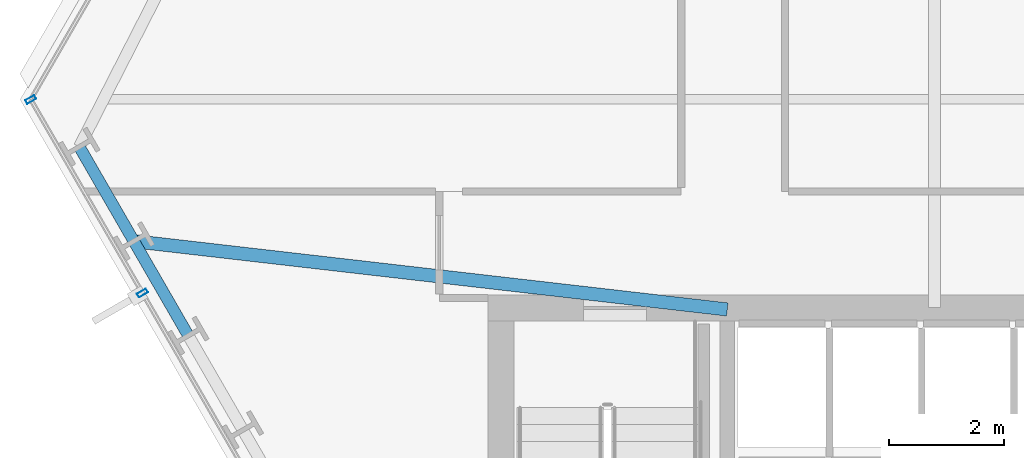
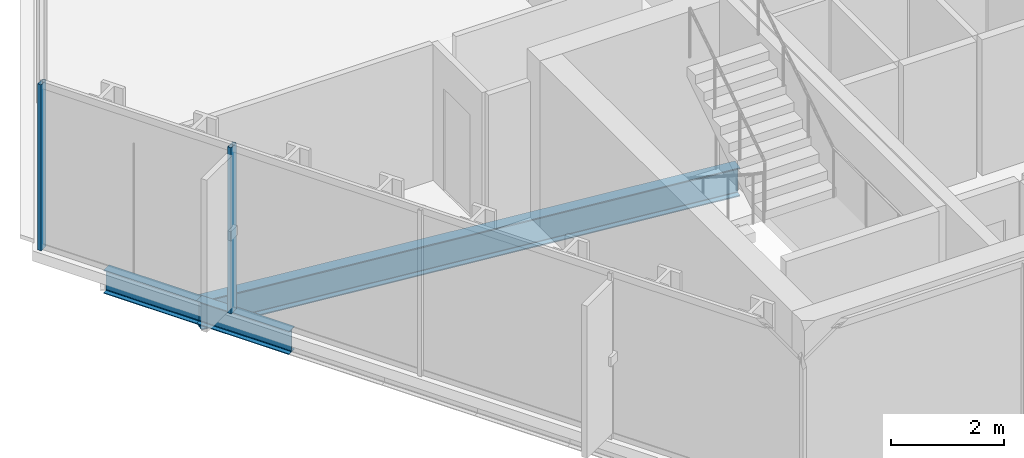
# One storey, part 5 of 32: 3 beams, 2 members, 1 element without a shape of its own.
"""IFC4 building model written with IfcOpenShell, lengths in metres."""

from ifc_helpers import new_model, si_unit, direction, frame, origin, origin_2d, place, context, subcontext, project, spatial, hollow_rectangle, i_section, extrude, material, layer, layer_set, material_profile, profile_set, type_object, element, aggregate, save


model = new_model("IFC4")

# Units and contexts
model_context = context("Model", 3, precision=1e-05, world=origin(), true_north=direction((0.0, 1.0)))
body_context = subcontext(model_context, "Body", "Model", "MODEL_VIEW")
ifc_project = project(units=[si_unit("LENGTHUNIT", "METRE"), si_unit("AREAUNIT", "SQUARE_METRE"), si_unit("VOLUMEUNIT", "CUBIC_METRE"), si_unit("PLANEANGLEUNIT", "RADIAN"), si_unit("MASSUNIT", "GRAM", prefix="KILO")], contexts=[model_context])

# Site, building, storey
site_placement = place(None, origin())
site = spatial("IfcSite", under=ifc_project, at=site_placement, CompositionType="ELEMENT")
building_placement = place(site_placement, origin())
building = spatial("IfcBuilding", under=site, at=building_placement, Name="Ndaravel Arena Tower", CompositionType="ELEMENT")
storey_placement = place(building_placement, frame((0.0, 0.0, 58.800048828125)))
storey = spatial("IfcBuildingStorey", under=building, at=storey_placement, Name="L12", CompositionType="ELEMENT", Elevation=58.800048828125)

# Beams
ifc_material_1 = material(Name="Steel S355", Category="steel")
ifc_material_profile_1 = material_profile(ifc_material_1, i_section(OverallWidth=0.230224609375, OverallDepth=0.6171875, WebThickness=0.01318359375, FlangeThickness=0.022216796875, FilletRadius=0.0126953125, at=origin_2d()), Name="UB 610x229x140")
ifc_profile_set_1 = profile_set([ifc_material_profile_1], Name="Steel S355")
beam_type_1 = type_object("IfcBeamType", Name="BM-GIRD-UB610B", PredefinedType="BEAM", material=ifc_profile_set_1)
beam_1_placement = place(storey_placement, frame((20.298095703125, 16.135009765625, -0.528564453125), z_axis=(0.993448778677, -0.114278275036, 0.0), x_axis=(0.114278275036, 0.993448778677, 0.0)))
element("IfcBeam", 1, at=beam_1_placement, inside=storey, type_object=beam_type_1, Name="L12 Radial Floor Girder FG-21", PredefinedType="BEAM", context=body_context, shape_type="SweptSolid", body=[
    extrude(i_section(OverallWidth=0.230224609375, OverallDepth=0.6171875, WebThickness=0.01318359375, FlangeThickness=0.022216796875, FilletRadius=0.0126953125, at=origin_2d()), origin(), (0.0, 0.0, 1.0), 10.369873046875),
])
ifc_material_2 = material(Name="Steel S355", Category="steel")
ifc_material_profile_2 = material_profile(ifc_material_2, i_section(OverallWidth=0.199951171875, OverallDepth=0.5, WebThickness=0.01025390625, FlangeThickness=0.01611328125, FilletRadius=0.02099609375, at=origin_2d()), Name="IPE 500")
ifc_profile_set_2 = profile_set([ifc_material_profile_2], Name="Steel S355")
beam_type_2 = type_object("IfcBeamType", Name="BM-SPAN-IPE500", PredefinedType="SPANDREL", material=ifc_profile_set_2)
beam_2_placement = place(storey_placement, frame((19.3515625, 17.7744140625, -0.469970703125), z_axis=(0.50000898992, -0.86602021339, 0.0), x_axis=(0.86602021339, 0.50000898992, 0.0)))
element("IfcBeam", 2, at=beam_2_placement, inside=storey, type_object=beam_type_2, Name="L12 Perimeter Spandrel Beam SP-20", PredefinedType="SPANDREL", context=body_context, shape_type="SweptSolid", body=[
    extrude(i_section(OverallWidth=0.199951171875, OverallDepth=0.5, WebThickness=0.01025390625, FlangeThickness=0.01611328125, FilletRadius=0.02099609375, at=origin_2d()), origin(), (0.0, 0.0, 1.0), 1.89306640625),
])
beam_3_placement = place(storey_placement, frame((20.298095703125, 16.135009765625, -0.469970703125), z_axis=(0.499968102766, -0.866043818878, 0.0), x_axis=(0.866043818878, 0.499968102766, 0.0)))
element("IfcBeam", 3, at=beam_3_placement, inside=storey, type_object=beam_type_2, Name="L12 Perimeter Spandrel Beam SP-21", PredefinedType="SPANDREL", context=body_context, shape_type="SweptSolid", body=[
    extrude(i_section(OverallWidth=0.199951171875, OverallDepth=0.5, WebThickness=0.01025390625, FlangeThickness=0.01611328125, FilletRadius=0.02099609375, at=origin_2d()), origin(), (0.0, 0.0, 1.0), 1.892578125),
])

# Curtain wall, members
ifc_material_3 = material(Name="Aluminium", Category="aluminium")
ifc_layer = layer(ifc_material_3, 0.179931640625)
ifc_layer_set = layer_set([ifc_layer], Name="Aluminium")
curtain_wall_type = type_object("IfcCurtainWallType", Name="CW-SYS-02", PredefinedType="NOTDEFINED", material=ifc_layer_set)
curtain_wall_placement = place(storey_placement, origin())
curtain_wall = element("IfcCurtainWall", 4, at=curtain_wall_placement, inside=storey, type_object=curtain_wall_type, Name="L12 Faceted Crystal Curtain Wall CW-L12-E06", PredefinedType="NOTDEFINED")
ifc_material_4 = material(Name="Aluminium", Category="aluminium")
ifc_material_profile_3 = material_profile(ifc_material_4, hollow_rectangle(XDim=0.074951171875, YDim=0.179931640625, WallThickness=0.00390625, at=origin_2d()), Name="CW MULLION 75x180x4")
ifc_profile_set_3 = profile_set([ifc_material_profile_3], Name="Aluminium")
member_type = type_object("IfcMemberType", Name="MEM-CW-MUL180", PredefinedType="MULLION", material=ifc_profile_set_3)
member_1_placement = place(storey_placement, frame((18.5087890625, 18.593994140625, 0.0), z_axis=(0.0, 0.0, 1.0), x_axis=(0.5, -0.866025403784, 0.0)))
member_1 = element("IfcMember", 5, at=member_1_placement, type_object=member_type, Name="CW-L12-E06 Mullion 00", PredefinedType="MULLION", context=body_context, shape_type="SweptSolid", body=[
    extrude(hollow_rectangle(XDim=0.074951171875, YDim=0.179931640625, WallThickness=0.00390625, at=origin_2d()), origin(), (0.0, 0.0, 1.0), 3.579833984375),
])
member_2_placement = place(storey_placement, frame((20.447998046875, 15.2353515625, 0.0), z_axis=(0.0, 0.0, 1.0), x_axis=(0.5, -0.866025403784, 0.0)))
member_2 = element("IfcMember", 6, at=member_2_placement, type_object=member_type, Name="CW-L12-E06 Mullion 01", PredefinedType="MULLION", context=body_context, shape_type="SweptSolid", body=[
    extrude(hollow_rectangle(XDim=0.074951171875, YDim=0.179931640625, WallThickness=0.00390625, at=origin_2d()), origin(), (0.0, 0.0, 1.0), 3.579833984375),
])
aggregate(curtain_wall, [member_1, member_2])

save(model, "model.ifc")
